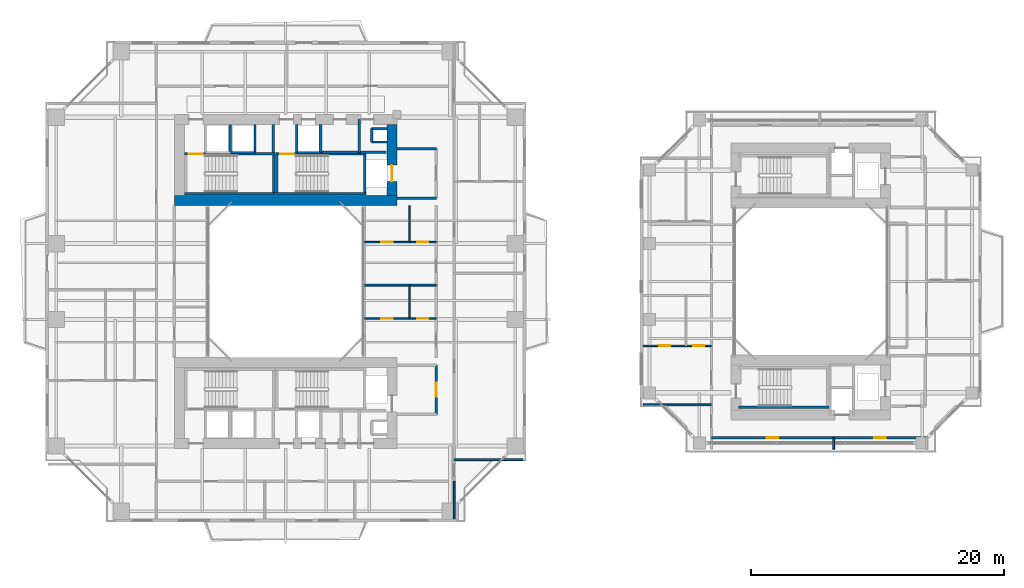
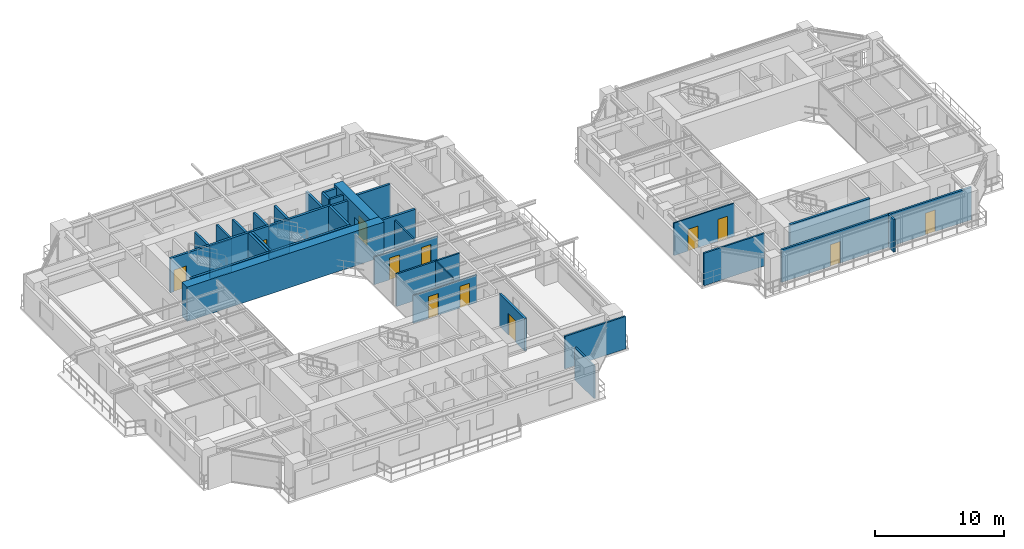
# One storey, part 14 of 23: 36 walls, 12 doors, 12 openings.
"""IFC4 building model written with IfcOpenShell, lengths in metres."""

from ifc_helpers import new_model, si_unit, direction, frame, frame_2d, origin, place, context, subcontext, project, spatial, rectangle, extrude, source, transform, mapped, material, layer, layer_set, type_object, element, fill, save


model = new_model("IFC4")

# Units and contexts
model_context = context("Model", 3, precision=1e-05, world=origin(), true_north=direction((0.0, 1.0)))
body_context = subcontext(model_context, "Body", "Model", "MODEL_VIEW")
ifc_project = project(units=[si_unit("LENGTHUNIT", "METRE"), si_unit("AREAUNIT", "SQUARE_METRE"), si_unit("VOLUMEUNIT", "CUBIC_METRE"), si_unit("PLANEANGLEUNIT", "RADIAN"), si_unit("MASSUNIT", "GRAM", prefix="KILO"), si_unit("THERMODYNAMICTEMPERATUREUNIT", "KELVIN"), si_unit("POWERUNIT", "WATT")], contexts=[model_context])

# Site, building, storey
site_placement = place(None, origin())
site = spatial("IfcSite", under=ifc_project, at=site_placement, CompositionType="ELEMENT")
building_placement = place(site_placement, origin())
building = spatial("IfcBuilding", under=site, at=building_placement, Name="Qiaomeng Ring Towers", CompositionType="ELEMENT")
storey_placement = place(building_placement, frame((0.0, 0.0, 26.25)))
storey = spatial("IfcBuildingStorey", under=building, at=storey_placement, Name="L06", CompositionType="ELEMENT", Elevation=26.25)

# Walls
ifc_material_1 = material(Name="Autoclaved aerated concrete block", Category="concrete")
ifc_layer_1 = layer(ifc_material_1, 0.199951171875, Name="Autoclaved aerated concrete block")
ifc_layer_set_1 = layer_set([ifc_layer_1], Name="Autoclaved aerated concrete block")
wall_type_1 = type_object("IfcWallType", Name="ARC-WL-PW1", PredefinedType="PARTITIONING", material=ifc_layer_set_1)
for number, where, z_axis, x_axis, name in (
    (1, (27.800048828125, 29.60009765625, 0.0), (0.0, 0.0, 1.0), (1.0, 0.0, 0.0), "L06 Interior Wall PW1"),
    (2, (27.800048828125, 33.5, 0.0), (0.0, 0.0, 1.0), (1.0, 0.0, 0.0), "L06 Interior Wall PW1"),
):
    element("IfcWall", number, at=place(storey_placement, frame(where, z_axis=z_axis, x_axis=x_axis)), inside=storey, type_object=wall_type_1, Name=name, PredefinedType="PARTITIONING", context=body_context, shape_type="SweptSolid", body=[
        extrude(rectangle(XDim=3.099853515625, YDim=0.199951171875, at=frame_2d((1.5498046875, 0.0))), origin(), (0.0, 0.0, 1.0), 3.070068359375),
    ])

# Wall, opening, door
wall_1_placement = place(storey_placement, frame((30.89990234375, 12.5, 0.0), z_axis=(0.0, 0.0, 1.0), x_axis=(0.0, 1.0, 0.0)))
wall_1 = element("IfcWall", 3, at=wall_1_placement, inside=storey, type_object=wall_type_1, Name="L06 Interior Wall PW1", PredefinedType="PARTITIONING", context=body_context, shape_type="SweptSolid", body=[
    extrude(rectangle(XDim=3.89990234375, YDim=0.199951171875, at=frame_2d((1.949951171875, 0.0))), origin(), (0.0, 0.0, 1.0), 3.070068359375),
])
opening_1_placement = place(wall_1_placement, frame((1.39990234375, 0.0, 0.0)))
opening_1 = element("IfcOpeningElement", 4, at=opening_1_placement, cuts=wall_1, Name="Opening FD3", PredefinedType="OPENING", context=body_context, shape_type="SweptSolid", body=[
    extrude(rectangle(XDim=1.10009765625, YDim=2.050048828125, at=frame_2d((0.550048828125, 1.02490234375))), frame((0.0, 0.10986328125, 0.0), z_axis=(0.0, -1.0, 0.0), x_axis=(1.0, 0.0, 0.0)), (0.0, 0.0, 1.0), 0.219970703125),
])
ifc_material_2 = material(Name="Galvanised steel", Category="steel")
door_type_1 = type_object("IfcDoorType", Name="ARC-DR-FD3", OperationType="NOTDEFINED", PredefinedType="DOOR", material=ifc_material_2)
shared_shape_1 = source(origin(), body_context, "Body", "SweptSolid", [
    extrude(rectangle(XDim=1.10009765625, YDim=2.050048828125, at=frame_2d((0.550048828125, 1.02490234375))), frame((0.0, 0.02490234375, 0.0), z_axis=(0.0, -1.0, 0.0), x_axis=(1.0, 0.0, 0.0)), (0.0, 0.0, 1.0), 0.050048828125),
])
door_1_placement = place(opening_1_placement, origin())
door_1 = element("IfcDoor", 5, at=door_1_placement, inside=storey, type_object=door_type_1, Name="L06 South FF Lobby Door", OperationType="SINGLE_SWING_LEFT", OverallHeight=2.050048828125, OverallWidth=1.10009765625, PredefinedType="DOOR", context=body_context, shape_type="MappedRepresentation", body=[
    mapped(shared_shape_1, transform((0.0, 0.0, 0.0), x_axis=(1.0, 0.0, 0.0), y_axis=(0.0, 1.0, 0.0), z_axis=(0.0, 0.0, 1.0), scale=1.0)),
])
fill(opening_1, door_1)

# Walls
for number, where, z_axis, x_axis, name in (
    (6, (18.0, 33.18994140625, 0.0), (0.0, 0.0, 1.0), (0.0, 1.0, 0.0), "L06 Interior Wall PW1"),
    (7, (19.8798828125, 33.18994140625, 0.0), (0.0, 0.0, 1.0), (0.0, 1.0, 0.0), "L06 Interior Wall PW1"),
):
    element("IfcWall", number, at=place(storey_placement, frame(where, z_axis=z_axis, x_axis=x_axis)), inside=storey, type_object=wall_type_1, Name=name, PredefinedType="PARTITIONING", context=body_context, shape_type="SweptSolid", body=[
        extrude(rectangle(XDim=2.2099609375, YDim=0.199951171875, at=frame_2d((1.10498046875, 0.0))), origin(), (0.0, 0.0, 1.0), 3.070068359375),
    ])
wall_2_placement = place(storey_placement, frame((24.820068359375, 33.199951171875, 0.0), z_axis=(0.0, 0.0, 1.0), x_axis=(0.0, 1.0, 0.0)))
element("IfcWall", 8, at=wall_2_placement, inside=storey, type_object=wall_type_1, Name="L06 Interior Wall PW1", PredefinedType="PARTITIONING", context=body_context, shape_type="SweptSolid", body=[
    extrude(rectangle(XDim=2.650146484375, YDim=0.199951171875, at=frame_2d((1.3251953125, 0.0))), origin(), (0.0, 0.0, 1.0), 3.070068359375),
])
wall_3_placement = place(storey_placement, frame((21.75, 33.199951171875, 0.0), z_axis=(0.0, 0.0, 1.0), x_axis=(0.0, 1.0, 0.0)))
element("IfcWall", 9, at=wall_3_placement, inside=storey, type_object=wall_type_1, Name="L06 Interior Wall PW1", PredefinedType="PARTITIONING", context=body_context, shape_type="SweptSolid", body=[
    extrude(rectangle(XDim=2.199951171875, YDim=0.199951171875, at=frame_2d((1.10009765625, 0.0))), origin(), (0.0, 0.0, 1.0), 3.070068359375),
])
wall_4_placement = place(storey_placement, frame((21.75, 33.199951171875, 0.0), z_axis=(0.0, 0.0, 1.0), x_axis=(1.0, 0.0, 0.0)))
element("IfcWall", 10, at=wall_4_placement, inside=storey, type_object=wall_type_1, Name="L06 Interior Wall PW1", PredefinedType="PARTITIONING", context=body_context, shape_type="SweptSolid", body=[
    extrude(rectangle(XDim=5.169921875, YDim=0.199951171875, at=frame_2d((2.5849609375, 0.0))), origin(), (0.0, 0.0, 1.0), 3.070068359375),
])

# Wall, openings, doors
ifc_layer_2 = layer(ifc_material_1, 0.179931640625, Name="Autoclaved aerated concrete block")
ifc_layer_set_2 = layer_set([ifc_layer_2], Name="Autoclaved aerated concrete block")
wall_type_2 = type_object("IfcWallType", Name="ARC-WL-PW2", PredefinedType="PARTITIONING", material=ifc_layer_set_2)
wall_5_placement = place(storey_placement, frame((52.64990234375, 10.64990234375, 0.0), z_axis=(0.0, 0.0, 1.0), x_axis=(1.0, 0.0, 0.0)))
wall_5 = element("IfcWall", 11, at=wall_5_placement, inside=storey, type_object=wall_type_2, Name="L06 Interior Wall PW2", PredefinedType="PARTITIONING", context=body_context, shape_type="SweptSolid", body=[
    extrude(rectangle(XDim=17.0, YDim=0.179931640625, at=frame_2d((8.5, 0.0))), origin(), (0.0, 0.0, 1.0), 3.070068359375),
])
opening_2_placement = place(wall_5_placement, frame((4.375, 0.0, 0.0)))
opening_2 = element("IfcOpeningElement", 12, at=opening_2_placement, cuts=wall_5, Name="Opening ID1", PredefinedType="OPENING", context=body_context, shape_type="SweptSolid", body=[
    extrude(rectangle(XDim=0.89990234375, YDim=2.050048828125, at=frame_2d((0.449951171875, 1.02490234375))), frame((0.0, 0.099853515625, 0.0), z_axis=(0.0, -1.0, 0.0), x_axis=(1.0, 0.0, 0.0)), (0.0, 0.0, 1.0), 0.199951171875),
])
opening_3_placement = place(wall_5_placement, frame((12.875, 0.0, 0.0)))
opening_3 = element("IfcOpeningElement", 13, at=opening_3_placement, cuts=wall_5, Name="Opening ID1", PredefinedType="OPENING", context=body_context, shape_type="SweptSolid", body=[
    extrude(rectangle(XDim=0.89990234375, YDim=2.050048828125, at=frame_2d((0.449951171875, 1.02490234375))), frame((0.0, 0.099853515625, 0.0), z_axis=(0.0, -1.0, 0.0), x_axis=(1.0, 0.0, 0.0)), (0.0, 0.0, 1.0), 0.199951171875),
])
ifc_material_3 = material(Name="Engineered oak timber", Category="wood")
door_type_2 = type_object("IfcDoorType", Name="ARC-DR-ID1", OperationType="NOTDEFINED", PredefinedType="DOOR", material=ifc_material_3)
shared_shape_2 = source(origin(), body_context, "Body", "SweptSolid", [
    extrude(rectangle(XDim=0.89990234375, YDim=2.050048828125, at=frame_2d((0.449951171875, 1.02490234375))), frame((0.0, 0.02490234375, 0.0), z_axis=(0.0, -1.0, 0.0), x_axis=(1.0, 0.0, 0.0)), (0.0, 0.0, 1.0), 0.050048828125),
])
door_2_placement = place(opening_2_placement, origin())
door_2 = element("IfcDoor", 14, at=door_2_placement, inside=storey, type_object=door_type_2, Name="L06 Door ID1", OperationType="SINGLE_SWING_LEFT", OverallHeight=2.050048828125, OverallWidth=0.89990234375, PredefinedType="DOOR", context=body_context, shape_type="MappedRepresentation", body=[
    mapped(shared_shape_2, transform((0.0, 0.0, 0.0), x_axis=(1.0, 0.0, 0.0), y_axis=(0.0, 1.0, 0.0), z_axis=(0.0, 0.0, 1.0), scale=1.0)),
])
fill(opening_2, door_2)
door_3_placement = place(opening_3_placement, origin())
door_3 = element("IfcDoor", 15, at=door_3_placement, inside=storey, type_object=door_type_2, Name="L06 Door ID1", OperationType="SINGLE_SWING_RIGHT", OverallHeight=2.050048828125, OverallWidth=0.89990234375, PredefinedType="DOOR", context=body_context, shape_type="MappedRepresentation", body=[
    mapped(shared_shape_2, transform((0.0, 0.0, 0.0), x_axis=(1.0, 0.0, 0.0), y_axis=(0.0, 1.0, 0.0), z_axis=(0.0, 0.0, 1.0), scale=1.0)),
])
fill(opening_3, door_3)

# Walls
ifc_material_4 = material(Name="Gypsum fireboard steel-stud partition", Category="steel")
ifc_layer_3 = layer(ifc_material_4, 0.14990234375, Name="Gypsum fireboard steel-stud partition")
ifc_layer_set_3 = layer_set([ifc_layer_3], Name="Gypsum fireboard steel-stud partition")
wall_type_3 = type_object("IfcWallType", Name="ARC-WL-PW3", PredefinedType="PARTITIONING", material=ifc_layer_set_3)
wall_6_placement = place(storey_placement, frame((32.320068359375, 4.25, 0.0), z_axis=(0.0, 0.0, 1.0), x_axis=(0.0, 1.0, 0.0)))
element("IfcWall", 16, at=wall_6_placement, inside=storey, type_object=wall_type_3, Name="L06 Interior Wall PW3", PredefinedType="PARTITIONING", context=body_context, shape_type="SweptSolid", body=[
    extrude(rectangle(XDim=2.9599609375, YDim=0.14990234375, at=frame_2d((1.47998046875, 0.0))), origin(), (0.0, 0.0, 1.0), 3.070068359375),
])
wall_7_placement = place(storey_placement, frame((32.320068359375, 8.919921875, 0.0), z_axis=(0.0, 0.0, 1.0), x_axis=(1.0, 0.0, 0.0)))
element("IfcWall", 17, at=wall_7_placement, inside=storey, type_object=wall_type_3, Name="L06 Interior Wall PW3", PredefinedType="PARTITIONING", context=body_context, shape_type="SweptSolid", body=[
    extrude(rectangle(XDim=5.429931640625, YDim=0.14990234375, at=frame_2d((2.71484375, 0.0))), origin(), (0.0, 0.0, 1.0), 3.070068359375),
])
wall_8_placement = place(storey_placement, frame((25.219970703125, 22.719970703125, 0.0), z_axis=(0.0, 0.0, 1.0), x_axis=(1.0, 0.0, 0.0)))
element("IfcWall", 18, at=wall_8_placement, inside=storey, type_object=wall_type_3, Name="L06 Interior Wall PW3", PredefinedType="PARTITIONING", context=body_context, shape_type="SweptSolid", body=[
    extrude(rectangle(XDim=5.679931640625, YDim=0.14990234375, at=frame_2d((2.83984375, 0.0))), origin(), (0.0, 0.0, 1.0), 3.070068359375),
])
wall_9_placement = place(storey_placement, frame((47.25, 13.25, 0.0), z_axis=(0.0, 0.0, 1.0), x_axis=(1.0, 0.0, 0.0)))
element("IfcWall", 19, at=wall_9_placement, inside=storey, type_object=wall_type_3, Name="L06 Interior Wall PW3", PredefinedType="PARTITIONING", context=body_context, shape_type="SweptSolid", body=[
    extrude(rectangle(XDim=5.39990234375, YDim=0.14990234375, at=frame_2d((2.699951171875, 0.0))), origin(), (0.0, 0.0, 1.0), 3.070068359375),
])
wall_10_placement = place(storey_placement, frame((62.300048828125, 9.75, 0.0), z_axis=(0.0, 0.0, 1.0), x_axis=(0.0, 1.0, 0.0)))
element("IfcWall", 20, at=wall_10_placement, inside=storey, type_object=wall_type_3, Name="L06 Interior Wall PW3", PredefinedType="PARTITIONING", context=body_context, shape_type="SweptSolid", body=[
    extrude(rectangle(XDim=0.89990234375, YDim=0.14990234375, at=frame_2d((0.449951171875, 0.0))), origin(), (0.0, 0.0, 1.0), 3.070068359375),
])

# Wall, openings, doors
ifc_material_5 = material(Name="Moisture-resistant gypsum steel-stud partition", Category="steel")
ifc_layer_4 = layer(ifc_material_5, 0.1201171875, Name="Moisture-resistant gypsum steel-stud partition")
ifc_layer_set_4 = layer_set([ifc_layer_4], Name="Moisture-resistant gypsum steel-stud partition")
wall_type_4 = type_object("IfcWallType", Name="ARC-WL-PW4", PredefinedType="PLUMBINGWALL", material=ifc_layer_set_4)
wall_11_placement = place(storey_placement, frame((25.219970703125, 20.090087890625, 0.0), z_axis=(0.0, 0.0, 1.0), x_axis=(1.0, 0.0, 0.0)))
wall_11 = element("IfcWall", 21, at=wall_11_placement, inside=storey, type_object=wall_type_4, Name="L06 Interior Wall PW4", PredefinedType="PLUMBINGWALL", context=body_context, shape_type="SweptSolid", body=[
    extrude(rectangle(XDim=5.679931640625, YDim=0.1201171875, at=frame_2d((2.83984375, 0.0))), origin(), (0.0, 0.0, 1.0), 2.625),
])
opening_4_placement = place(wall_11_placement, frame((1.35009765625, 0.0, 0.0)))
opening_4 = element("IfcOpeningElement", 22, at=opening_4_placement, cuts=wall_11, Name="Opening ID1", PredefinedType="OPENING", context=body_context, shape_type="SweptSolid", body=[
    extrude(rectangle(XDim=0.89990234375, YDim=2.050048828125, at=frame_2d((0.449951171875, 1.02490234375))), frame((0.0, 0.070068359375, 0.0), z_axis=(0.0, -1.0, 0.0), x_axis=(1.0, 0.0, 0.0)), (0.0, 0.0, 1.0), 0.14013671875),
])
opening_5_placement = place(wall_11_placement, frame((4.195068359375, 0.0, 0.0)))
opening_5 = element("IfcOpeningElement", 23, at=opening_5_placement, cuts=wall_11, Name="Opening ID2", PredefinedType="OPENING", context=body_context, shape_type="SweptSolid", body=[
    extrude(rectangle(XDim=0.85009765625, YDim=2.050048828125, at=frame_2d((0.425048828125, 1.02490234375))), frame((0.0, 0.070068359375, 0.0), z_axis=(0.0, -1.0, 0.0), x_axis=(1.0, 0.0, 0.0)), (0.0, 0.0, 1.0), 0.14013671875),
])
ifc_material_6 = material(Name="Moisture-resistant engineered timber", Category="wood")
door_type_3 = type_object("IfcDoorType", Name="ARC-DR-ID2", OperationType="NOTDEFINED", PredefinedType="DOOR", material=ifc_material_6)
shared_shape_3 = source(origin(), body_context, "Body", "SweptSolid", [
    extrude(rectangle(XDim=0.85009765625, YDim=2.050048828125, at=frame_2d((0.425048828125, 1.02490234375))), frame((0.0, 0.02490234375, 0.0), z_axis=(0.0, -1.0, 0.0), x_axis=(1.0, 0.0, 0.0)), (0.0, 0.0, 1.0), 0.050048828125),
])
door_4_placement = place(opening_5_placement, origin())
door_4 = element("IfcDoor", 24, at=door_4_placement, inside=storey, type_object=door_type_3, Name="L06 Door ID2", OperationType="SINGLE_SWING_RIGHT", OverallHeight=2.050048828125, OverallWidth=0.85009765625, PredefinedType="DOOR", context=body_context, shape_type="MappedRepresentation", body=[
    mapped(shared_shape_3, transform((0.0, 0.0, 0.0), x_axis=(1.0, 0.0, 0.0), y_axis=(0.0, 1.0, 0.0), z_axis=(0.0, 0.0, 1.0), scale=1.0)),
])
fill(opening_5, door_4)
door_5_placement = place(opening_4_placement, origin())
door_5 = element("IfcDoor", 25, at=door_5_placement, inside=storey, type_object=door_type_2, Name="L06 Door ID1", OperationType="SINGLE_SWING_LEFT", OverallHeight=2.050048828125, OverallWidth=0.89990234375, PredefinedType="DOOR", context=body_context, shape_type="MappedRepresentation", body=[
    mapped(shared_shape_2, transform((0.0, 0.0, 0.0), x_axis=(1.0, 0.0, 0.0), y_axis=(0.0, 1.0, 0.0), z_axis=(0.0, 0.0, 1.0), scale=1.0)),
])
fill(opening_4, door_5)

# Wall
wall_12_placement = place(storey_placement, frame((28.800048828125, 20.090087890625, 0.0), z_axis=(0.0, 0.0, 1.0), x_axis=(0.0, 1.0, 0.0)))
element("IfcWall", 26, at=wall_12_placement, inside=storey, type_object=wall_type_4, Name="L06 Interior Wall PW4", PredefinedType="PLUMBINGWALL", context=body_context, shape_type="SweptSolid", body=[
    extrude(rectangle(XDim=2.6298828125, YDim=0.1201171875, at=frame_2d((1.31494140625, 0.0))), origin(), (0.0, 0.0, 1.0), 3.070068359375),
])

# Wall, openings, doors
wall_13_placement = place(storey_placement, frame((25.219970703125, 26.110107421875, 0.0), z_axis=(0.0, 0.0, 1.0), x_axis=(1.0, 0.0, 0.0)))
wall_13 = element("IfcWall", 27, at=wall_13_placement, inside=storey, type_object=wall_type_4, Name="L06 Interior Wall PW4", PredefinedType="PLUMBINGWALL", context=body_context, shape_type="SweptSolid", body=[
    extrude(rectangle(XDim=5.679931640625, YDim=0.1201171875, at=frame_2d((2.83984375, 0.0))), origin(), (0.0, 0.0, 1.0), 2.625),
])
opening_6_placement = place(wall_13_placement, frame((1.35009765625, 0.0, 0.0)))
opening_6 = element("IfcOpeningElement", 28, at=opening_6_placement, cuts=wall_13, Name="Opening ID1", PredefinedType="OPENING", context=body_context, shape_type="SweptSolid", body=[
    extrude(rectangle(XDim=0.89990234375, YDim=2.050048828125, at=frame_2d((0.449951171875, 1.02490234375))), frame((0.0, 0.070068359375, 0.0), z_axis=(0.0, -1.0, 0.0), x_axis=(1.0, 0.0, 0.0)), (0.0, 0.0, 1.0), 0.14013671875),
])
opening_7_placement = place(wall_13_placement, frame((4.195068359375, 0.0, 0.0)))
opening_7 = element("IfcOpeningElement", 29, at=opening_7_placement, cuts=wall_13, Name="Opening ID2", PredefinedType="OPENING", context=body_context, shape_type="SweptSolid", body=[
    extrude(rectangle(XDim=0.85009765625, YDim=2.050048828125, at=frame_2d((0.425048828125, 1.02490234375))), frame((0.0, 0.070068359375, 0.0), z_axis=(0.0, -1.0, 0.0), x_axis=(1.0, 0.0, 0.0)), (0.0, 0.0, 1.0), 0.14013671875),
])
door_6_placement = place(opening_7_placement, origin())
door_6 = element("IfcDoor", 30, at=door_6_placement, inside=storey, type_object=door_type_3, Name="L06 Door ID2", OperationType="SINGLE_SWING_RIGHT", OverallHeight=2.050048828125, OverallWidth=0.85009765625, PredefinedType="DOOR", context=body_context, shape_type="MappedRepresentation", body=[
    mapped(shared_shape_3, transform((0.0, 0.0, 0.0), x_axis=(1.0, 0.0, 0.0), y_axis=(0.0, 1.0, 0.0), z_axis=(0.0, 0.0, 1.0), scale=1.0)),
])
fill(opening_7, door_6)
door_7_placement = place(opening_6_placement, origin())
door_7 = element("IfcDoor", 31, at=door_7_placement, inside=storey, type_object=door_type_2, Name="L06 Door ID1", OperationType="SINGLE_SWING_LEFT", OverallHeight=2.050048828125, OverallWidth=0.89990234375, PredefinedType="DOOR", context=body_context, shape_type="MappedRepresentation", body=[
    mapped(shared_shape_2, transform((0.0, 0.0, 0.0), x_axis=(1.0, 0.0, 0.0), y_axis=(0.0, 1.0, 0.0), z_axis=(0.0, 0.0, 1.0), scale=1.0)),
])
fill(opening_6, door_7)

# Wall
wall_14_placement = place(storey_placement, frame((28.800048828125, 26.110107421875, 0.0), z_axis=(0.0, 0.0, 1.0), x_axis=(0.0, 1.0, 0.0)))
element("IfcWall", 32, at=wall_14_placement, inside=storey, type_object=wall_type_4, Name="L06 Interior Wall PW4", PredefinedType="PLUMBINGWALL", context=body_context, shape_type="SweptSolid", body=[
    extrude(rectangle(XDim=2.889892578125, YDim=0.1201171875, at=frame_2d((1.44482421875, 0.0))), origin(), (0.0, 0.0, 1.0), 3.070068359375),
])

# Wall, openings, doors
wall_15_placement = place(storey_placement, frame((47.25, 17.919921875, 0.0), z_axis=(0.0, 0.0, 1.0), x_axis=(1.0, 0.0, 0.0)))
wall_15 = element("IfcWall", 33, at=wall_15_placement, inside=storey, type_object=wall_type_4, Name="L06 Interior Wall PW4", PredefinedType="PLUMBINGWALL", context=body_context, shape_type="SweptSolid", body=[
    extrude(rectangle(XDim=5.39990234375, YDim=0.1201171875, at=frame_2d((2.699951171875, 0.0))), origin(), (0.0, 0.0, 1.0), 3.070068359375),
])
opening_8_placement = place(wall_15_placement, frame((1.260009765625, 0.0, 0.0)))
opening_8 = element("IfcOpeningElement", 34, at=opening_8_placement, cuts=wall_15, Name="Opening ID1", PredefinedType="OPENING", context=body_context, shape_type="SweptSolid", body=[
    extrude(rectangle(XDim=0.89990234375, YDim=2.050048828125, at=frame_2d((0.449951171875, 1.02490234375))), frame((0.0, 0.070068359375, 0.0), z_axis=(0.0, -1.0, 0.0), x_axis=(1.0, 0.0, 0.0)), (0.0, 0.0, 1.0), 0.14013671875),
])
opening_9_placement = place(wall_15_placement, frame((3.965087890625, 0.0, 0.0)))
opening_9 = element("IfcOpeningElement", 35, at=opening_9_placement, cuts=wall_15, Name="Opening ID2", PredefinedType="OPENING", context=body_context, shape_type="SweptSolid", body=[
    extrude(rectangle(XDim=0.85009765625, YDim=2.050048828125, at=frame_2d((0.425048828125, 1.02490234375))), frame((0.0, 0.070068359375, 0.0), z_axis=(0.0, -1.0, 0.0), x_axis=(1.0, 0.0, 0.0)), (0.0, 0.0, 1.0), 0.14013671875),
])
door_8_placement = place(opening_9_placement, origin())
door_8 = element("IfcDoor", 36, at=door_8_placement, inside=storey, type_object=door_type_3, Name="L06 Door ID2", OperationType="SINGLE_SWING_RIGHT", OverallHeight=2.050048828125, OverallWidth=0.85009765625, PredefinedType="DOOR", context=body_context, shape_type="MappedRepresentation", body=[
    mapped(shared_shape_3, transform((0.0, 0.0, 0.0), x_axis=(1.0, 0.0, 0.0), y_axis=(0.0, 1.0, 0.0), z_axis=(0.0, 0.0, 1.0), scale=1.0)),
])
fill(opening_9, door_8)
door_9_placement = place(opening_8_placement, origin())
door_9 = element("IfcDoor", 37, at=door_9_placement, inside=storey, type_object=door_type_2, Name="L06 Door ID1", OperationType="SINGLE_SWING_LEFT", OverallHeight=2.050048828125, OverallWidth=0.89990234375, PredefinedType="DOOR", context=body_context, shape_type="MappedRepresentation", body=[
    mapped(shared_shape_2, transform((0.0, 0.0, 0.0), x_axis=(1.0, 0.0, 0.0), y_axis=(0.0, 1.0, 0.0), z_axis=(0.0, 0.0, 1.0), scale=1.0)),
])
fill(opening_8, door_9)

# Walls
ifc_material_7 = material(Name="Concrete C40", Category="concrete")
ifc_layer_5 = layer(ifc_material_7, 0.199951171875, Name="Concrete C40")
ifc_layer_set_5 = layer_set([ifc_layer_5], Name="Concrete C40")
wall_type_5 = type_object("IfcWallType", Name="STR-WL-STSHAFT", PredefinedType="SHEAR", material=ifc_layer_set_5)
wall_16_placement = place(storey_placement, frame((14.6201171875, 33.199951171875, 0.0), z_axis=(0.0, 0.0, 1.0), x_axis=(0.0, 1.0, 0.0)))
element("IfcWall", 38, at=wall_16_placement, inside=storey, type_object=wall_type_5, Name="L06 Lift LP5-LP3 Shaft Divider Wall", PredefinedType="SHEAR", context=body_context, shape_type="SweptSolid", body=[
    extrude(rectangle(XDim=2.199951171875, YDim=0.179931640625, at=frame_2d((1.10009765625, 0.0))), origin(), (0.0, 0.0, 1.0), 3.070068359375),
])
wall_17_placement = place(storey_placement, frame((25.800048828125, 34.02001953125, 0.0), z_axis=(0.0, 0.0, 1.0), x_axis=(0.0, 1.0, 0.0)))
element("IfcWall", 39, at=wall_17_placement, inside=storey, type_object=wall_type_5, Name="L06 Riser RSR1 West Shaft Wall N", PredefinedType="SHEAR", context=body_context, shape_type="SweptSolid", body=[
    extrude(rectangle(XDim=1.06005859375, YDim=0.179931640625, at=frame_2d((0.530029296875, 0.0))), origin(), (0.0, 0.0, 1.0), 3.070068359375),
])
for number, where, z_axis, x_axis, name in (
    (40, (25.800048828125, 35.080078125, 0.0), (0.0, 0.0, 1.0), (1.0, 0.0, 0.0), "L06 Riser RSR1 North Shaft Wall N"),
    (41, (25.800048828125, 34.02001953125, 0.0), (0.0, 0.0, 1.0), (1.0, 0.0, 0.0), "L06 Riser RSR1 South Shaft Wall N"),
):
    element("IfcWall", number, at=place(storey_placement, frame(where, z_axis=z_axis, x_axis=x_axis)), inside=storey, type_object=wall_type_5, Name=name, PredefinedType="SHEAR", context=body_context, shape_type="SweptSolid", body=[
        extrude(rectangle(XDim=1.199951171875, YDim=0.179931640625, at=frame_2d((0.60009765625, 0.0))), origin(), (0.0, 0.0, 1.0), 3.070068359375),
    ])
wall_18_placement = place(storey_placement, frame((14.6201171875, 33.199951171875, 0.0), z_axis=(0.0, 0.0, 1.0), x_axis=(1.0, 0.0, 0.0)))
element("IfcWall", 42, at=wall_18_placement, inside=storey, type_object=wall_type_5, Name="L06 Lift LP3 Shaft Back Wall", PredefinedType="SHEAR", context=body_context, shape_type="SweptSolid", body=[
    extrude(rectangle(XDim=1.9599609375, YDim=0.179931640625, at=frame_2d((0.97998046875, 0.0))), origin(), (0.0, 0.0, 1.0), 3.070068359375),
])
wall_19_placement = place(storey_placement, frame((16.580078125, 33.199951171875, 0.0), z_axis=(0.0, 0.0, 1.0), x_axis=(0.0, 1.0, 0.0)))
element("IfcWall", 43, at=wall_19_placement, inside=storey, type_object=wall_type_5, Name="L06 Lift LP3 East Shaft Wall", PredefinedType="SHEAR", context=body_context, shape_type="SweptSolid", body=[
    extrude(rectangle(XDim=2.199951171875, YDim=0.179931640625, at=frame_2d((1.10009765625, 0.0))), origin(), (0.0, 0.0, 1.0), 3.070068359375),
])
wall_20_placement = place(storey_placement, frame((19.8798828125, 33.199951171875, 0.0), z_axis=(0.0, 0.0, 1.0), x_axis=(1.0, 0.0, 0.0)))
element("IfcWall", 44, at=wall_20_placement, inside=storey, type_object=wall_type_5, Name="L06 Lift LP1 Shaft Back Wall", PredefinedType="SHEAR", context=body_context, shape_type="SweptSolid", body=[
    extrude(rectangle(XDim=1.8701171875, YDim=0.179931640625, at=frame_2d((0.93505859375, 0.0))), origin(), (0.0, 0.0, 1.0), 3.070068359375),
])
wall_21_placement = place(storey_placement, frame((11.0, 29.949951171875, 0.0), z_axis=(0.0, 0.0, 1.0), x_axis=(1.0, 0.0, 0.0)))
element("IfcWall", 45, at=wall_21_placement, inside=storey, type_object=wall_type_5, Name="L06 Stair ST1 South Shaft Shear Wall", PredefinedType="SHEAR", context=body_context, shape_type="SweptSolid", body=[
    extrude(rectangle(XDim=7.14990234375, YDim=0.199951171875, at=frame_2d((3.574951171875, 0.0))), origin(), (0.0, 0.0, 1.0), 3.25),
])

# Wall, opening, door
wall_22_placement = place(storey_placement, frame((11.0, 33.090087890625, 0.0), z_axis=(0.0, 0.0, 1.0), x_axis=(1.0, 0.0, 0.0)))
wall_22 = element("IfcWall", 46, at=wall_22_placement, inside=storey, type_object=wall_type_5, Name="L06 Stair ST1 North Shaft Shear Wall", PredefinedType="SHEAR", context=body_context, shape_type="SweptSolid", body=[
    extrude(rectangle(XDim=7.14990234375, YDim=0.199951171875, at=frame_2d((3.574951171875, 0.0))), origin(), (0.0, 0.0, 1.0), 3.25),
])
opening_10_placement = place(wall_22_placement, frame((0.35009765625, 0.0, 0.0)))
opening_10 = element("IfcOpeningElement", 47, at=opening_10_placement, cuts=wall_22, Name="Opening FD3", PredefinedType="OPENING", context=body_context, shape_type="SweptSolid", body=[
    extrude(rectangle(XDim=1.10009765625, YDim=2.050048828125, at=frame_2d((0.550048828125, 1.02490234375))), frame((0.0, 0.10986328125, 0.0), z_axis=(0.0, -1.0, 0.0), x_axis=(1.0, 0.0, 0.0)), (0.0, 0.0, 1.0), 0.219970703125),
])
door_10_placement = place(opening_10_placement, origin())
door_10 = element("IfcDoor", 48, at=door_10_placement, inside=storey, type_object=door_type_1, Name="L06 Stair ST1 Exit Door", OperationType="SINGLE_SWING_LEFT", OverallHeight=2.050048828125, OverallWidth=1.10009765625, PredefinedType="DOOR", context=body_context, shape_type="MappedRepresentation", body=[
    mapped(shared_shape_1, transform((0.0, 0.0, 0.0), x_axis=(1.0, 0.0, 0.0), y_axis=(0.0, 1.0, 0.0), z_axis=(0.0, 0.0, 1.0), scale=1.0)),
])
fill(opening_10, door_10)

# Walls
wall_23_placement = place(storey_placement, frame((18.050048828125, 30.050048828125, 0.0), z_axis=(0.0, 0.0, 1.0), x_axis=(0.0, 1.0, 0.0)))
element("IfcWall", 49, at=wall_23_placement, inside=storey, type_object=wall_type_5, Name="L06 Stair ST1 East Shaft Shear Wall", PredefinedType="SHEAR", context=body_context, shape_type="SweptSolid", body=[
    extrude(rectangle(XDim=2.93994140625, YDim=0.199951171875, at=frame_2d((1.469970703125, 0.0))), origin(), (0.0, 0.0, 1.0), 3.25),
])
wall_24_placement = place(storey_placement, frame((18.199951171875, 29.949951171875, 0.0), z_axis=(0.0, 0.0, 1.0), x_axis=(1.0, 0.0, 0.0)))
element("IfcWall", 50, at=wall_24_placement, inside=storey, type_object=wall_type_5, Name="L06 Stair ST2 South Shaft Shear Wall", PredefinedType="SHEAR", context=body_context, shape_type="SweptSolid", body=[
    extrude(rectangle(XDim=7.150146484375, YDim=0.199951171875, at=frame_2d((3.5751953125, 0.0))), origin(), (0.0, 0.0, 1.0), 3.25),
])

# Wall, opening, door
wall_25_placement = place(storey_placement, frame((18.199951171875, 33.090087890625, 0.0), z_axis=(0.0, 0.0, 1.0), x_axis=(1.0, 0.0, 0.0)))
wall_25 = element("IfcWall", 51, at=wall_25_placement, inside=storey, type_object=wall_type_5, Name="L06 Stair ST2 North Shaft Shear Wall", PredefinedType="SHEAR", context=body_context, shape_type="SweptSolid", body=[
    extrude(rectangle(XDim=7.150146484375, YDim=0.199951171875, at=frame_2d((3.5751953125, 0.0))), origin(), (0.0, 0.0, 1.0), 3.25),
])
opening_11_placement = place(wall_25_placement, frame((0.35009765625, 0.0, 0.0)))
opening_11 = element("IfcOpeningElement", 52, at=opening_11_placement, cuts=wall_25, Name="Opening FD3", PredefinedType="OPENING", context=body_context, shape_type="SweptSolid", body=[
    extrude(rectangle(XDim=1.10009765625, YDim=2.050048828125, at=frame_2d((0.550048828125, 1.02490234375))), frame((0.0, 0.10986328125, 0.0), z_axis=(0.0, -1.0, 0.0), x_axis=(1.0, 0.0, 0.0)), (0.0, 0.0, 1.0), 0.219970703125),
])
door_11_placement = place(opening_11_placement, origin())
door_11 = element("IfcDoor", 53, at=door_11_placement, inside=storey, type_object=door_type_1, Name="L06 Stair ST2 Exit Door", OperationType="SINGLE_SWING_LEFT", OverallHeight=2.050048828125, OverallWidth=1.10009765625, PredefinedType="DOOR", context=body_context, shape_type="MappedRepresentation", body=[
    mapped(shared_shape_1, transform((0.0, 0.0, 0.0), x_axis=(1.0, 0.0, 0.0), y_axis=(0.0, 1.0, 0.0), z_axis=(0.0, 0.0, 1.0), scale=1.0)),
])
fill(opening_11, door_11)

# Walls
for number, where, z_axis, x_axis, name in (
    (54, (18.300048828125, 30.050048828125, 0.0), (0.0, 0.0, 1.0), (0.0, 1.0, 0.0), "L06 Stair ST2 West Shaft Shear Wall"),
    (55, (25.25, 30.050048828125, 0.0), (0.0, 0.0, 1.0), (0.0, 1.0, 0.0), "L06 Stair ST2 East Shaft Shear Wall"),
):
    element("IfcWall", number, at=place(storey_placement, frame(where, z_axis=z_axis, x_axis=x_axis)), inside=storey, type_object=wall_type_5, Name=name, PredefinedType="SHEAR", context=body_context, shape_type="SweptSolid", body=[
        extrude(rectangle(XDim=2.93994140625, YDim=0.199951171875, at=frame_2d((1.469970703125, 0.0))), origin(), (0.0, 0.0, 1.0), 3.25),
    ])
wall_26_placement = place(storey_placement, frame((54.800048828125, 13.06005859375, 0.0), z_axis=(0.0, 0.0, 1.0), x_axis=(1.0, 0.0, 0.0)))
element("IfcWall", 56, at=wall_26_placement, inside=storey, type_object=wall_type_5, Name="L06 Stair ST6 South Shaft Shear Wall", PredefinedType="SHEAR", context=body_context, shape_type="SweptSolid", body=[
    extrude(rectangle(XDim=7.14990234375, YDim=0.199951171875, at=frame_2d((3.574951171875, 0.0))), origin(), (0.0, 0.0, 1.0), 3.25),
])
ifc_material_8 = material(Name="Concrete C60", Category="concrete")
ifc_layer_6 = layer(ifc_material_8, 0.800048828125, Name="Concrete C60")
ifc_layer_set_6 = layer_set([ifc_layer_6], Name="Concrete C60")
wall_type_6 = type_object("IfcWallType", Name="STR-WL-SW1", PredefinedType="SHEAR", material=ifc_layer_set_6)
wall_27_placement = place(storey_placement, frame((10.199951171875, 29.39990234375, 0.0), z_axis=(0.0, 0.0, 1.0), x_axis=(1.0, 0.0, 0.0)))
element("IfcWall", 57, at=wall_27_placement, inside=storey, type_object=wall_type_6, Name="L06 T1NC south core shear wall", PredefinedType="SHEAR", context=body_context, shape_type="SweptSolid", body=[
    extrude(rectangle(XDim=17.60009765625, YDim=0.800048828125, at=frame_2d((8.800048828125, 0.0))), origin(), (0.0, 0.0, 1.0), 3.25),
])

# Wall, opening, door
wall_28_placement = place(storey_placement, frame((27.39990234375, 29.800048828125, 0.0), z_axis=(0.0, 0.0, 1.0), x_axis=(0.0, 1.0, 0.0)))
wall_28 = element("IfcWall", 58, at=wall_28_placement, inside=storey, type_object=wall_type_6, Name="L06 T1NC east core shear wall", PredefinedType="SHEAR", context=body_context, shape_type="SweptSolid", body=[
    extrude(rectangle(XDim=5.599853515625, YDim=0.800048828125, at=frame_2d((2.7998046875, 0.0))), origin(), (0.0, 0.0, 1.0), 3.25),
])
opening_12_placement = place(wall_28_placement, frame((1.10009765625, 0.0, 0.0)))
opening_12 = element("IfcOpeningElement", 59, at=opening_12_placement, cuts=wall_28, Name="Opening LD2", PredefinedType="OPENING", context=body_context, shape_type="SweptSolid", body=[
    extrude(rectangle(XDim=1.300048828125, YDim=2.050048828125, at=frame_2d((0.64990234375, 1.02490234375))), frame((0.0, 0.409912109375, 0.0), z_axis=(0.0, -1.0, 0.0), x_axis=(1.0, 0.0, 0.0)), (0.0, 0.0, 1.0), 0.820068359375),
])
ifc_material_9 = material(Name="Stainless steel 316", Category="steel")
door_type_4 = type_object("IfcDoorType", Name="ARC-DR-LD2", OperationType="NOTDEFINED", PredefinedType="DOOR", material=ifc_material_9)
shared_shape_4 = source(origin(), body_context, "Body", "SweptSolid", [
    extrude(rectangle(XDim=1.300048828125, YDim=2.050048828125, at=frame_2d((0.64990234375, 1.02490234375))), frame((0.0, 0.02490234375, 0.0), z_axis=(0.0, -1.0, 0.0), x_axis=(1.0, 0.0, 0.0)), (0.0, 0.0, 1.0), 0.050048828125),
])
door_12_placement = place(opening_12_placement, origin())
door_12 = element("IfcDoor", 60, at=door_12_placement, inside=storey, type_object=door_type_4, Name="L06 Firefighting Lift FL1 Landing Door", OperationType="SLIDING_TO_LEFT", OverallHeight=2.050048828125, OverallWidth=1.300048828125, PredefinedType="DOOR", context=body_context, shape_type="MappedRepresentation", body=[
    mapped(shared_shape_4, transform((0.0, 0.0, 0.0), x_axis=(1.0, 0.0, 0.0), y_axis=(0.0, 1.0, 0.0), z_axis=(0.0, 0.0, 1.0), scale=1.0)),
])
fill(opening_12, door_12)

save(model, "model.ifc")
